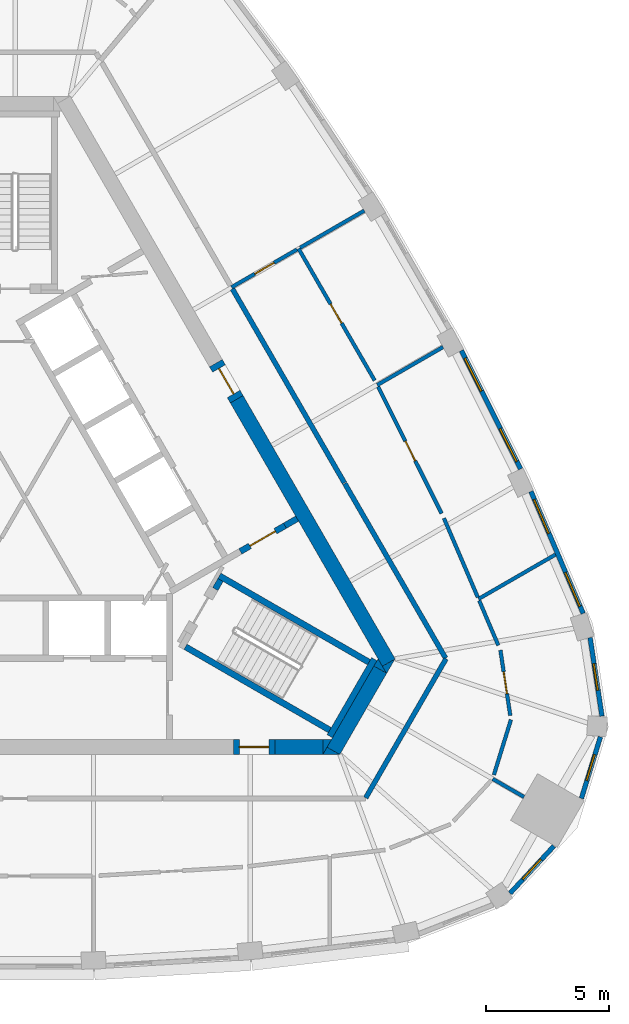
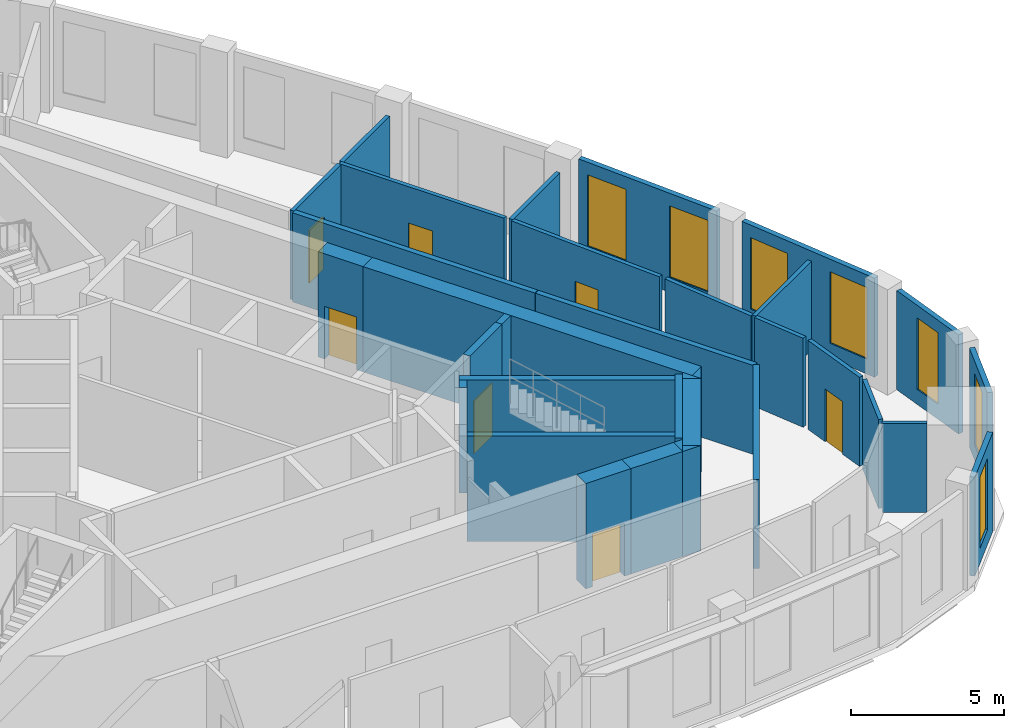
# One storey, part 7 of 10: 34 walls, 7 doors, 7 windows, 14 openings.
"""IFC4 building model written with IfcOpenShell, lengths in metres."""

from ifc_helpers import new_model, si_unit, direction, frame, frame_2d, origin, place, context, subcontext, project, spatial, polyline, rectangle, outline, extrude, material, layer, layer_set, type_object, element, fill, save


model = new_model("IFC4")

# Units and contexts
model_context = context("Model", 3, precision=1e-05, world=origin(), true_north=direction((0.0, 1.0)))
body_context = subcontext(model_context, "Body", "Model", "MODEL_VIEW")
ifc_project = project(units=[si_unit("LENGTHUNIT", "METRE"), si_unit("AREAUNIT", "SQUARE_METRE"), si_unit("VOLUMEUNIT", "CUBIC_METRE"), si_unit("PLANEANGLEUNIT", "RADIAN"), si_unit("MASSUNIT", "GRAM", prefix="KILO")], contexts=[model_context])

# Site, building, storey
site_placement = place(None, origin())
site = spatial("IfcSite", under=ifc_project, at=site_placement, CompositionType="ELEMENT")
building_placement = place(site_placement, origin())
building = spatial("IfcBuilding", under=site, at=building_placement, Name="Mestral Congress Tower", CompositionType="ELEMENT")
storey_placement = place(building_placement, frame((0.0, 0.0, 279.60009765625)))
storey = spatial("IfcBuildingStorey", under=building, at=storey_placement, Name="L65", CompositionType="ELEMENT", Elevation=279.60009765625)

# Walls
ifc_material_1 = material(Name="Concrete C60/75", Category="concrete")
ifc_layer_1 = layer(ifc_material_1, 0.60009765625)
ifc_layer_set_1 = layer_set([ifc_layer_1], Name="Concrete C60/75")
wall_type_1 = type_object("IfcWallType", Name="Core wall RC 600", PredefinedType="SOLIDWALL", material=ifc_layer_set_1)
wall_1_placement = place(storey_placement, frame((9.0419921875, 4.23876953125, 0.0), z_axis=(0.0, 0.0, 1.0), x_axis=(0.500005785455, -0.866022063525, 0.0)))
element("IfcWall", 1, at=wall_1_placement, inside=storey, type_object=wall_type_1, Name="L65 core wall", PredefinedType="SOLIDWALL", context=body_context, shape_type="SweptSolid", body=[
    extrude(rectangle(XDim=12.406494140625, YDim=0.60009765625, at=frame_2d((6.203125, 0.0))), origin(), (0.0, 0.0, 1.0), 4.199951171875),
])
placement = place(storey_placement, origin())
element("IfcWall", 2, at=placement, inside=storey, type_object=wall_type_1, Name="L65 core wall", PredefinedType="SOLIDWALL", context=body_context, shape_type="SweptSolid", body=[
    extrude(outline(polyline([(15.155517578125, -6.949951171875), (14.986572265625, -6.6572265625), (15.493408203125, -6.364501953125), (15.155517578125, -6.949951171875)])), origin(), (0.0, 0.0, 1.0), 4.199951171875),
])
wall_3_placement = place(storey_placement, frame((12.9873046875, -10.105712890625, 0.0), z_axis=(0.0, 0.0, 1.0), x_axis=(0.499950938802, 0.866053727428, 0.0)))
element("IfcWall", 3, at=wall_3_placement, inside=storey, type_object=wall_type_1, Name="L65 core wall", PredefinedType="SOLIDWALL", context=body_context, shape_type="SweptSolid", body=[
    extrude(rectangle(XDim=3.8232421875, YDim=0.60009765625, at=frame_2d((1.91162109375, 0.0))), origin(), (0.0, 0.0, 1.0), 4.199951171875),
])
element("IfcWall", 4, at=placement, inside=storey, type_object=wall_type_1, Name="L65 core wall", PredefinedType="SOLIDWALL", context=body_context, shape_type="SweptSolid", body=[
    extrude(outline(polyline([(12.726318359375, -9.957275390625), (13.2333984375, -10.25), (12.557373046875, -10.25), (12.726318359375, -9.957275390625)])), origin(), (0.0, 0.0, 1.0), 4.199951171875),
])
element("IfcWall", 5, at=placement, inside=storey, type_object=wall_type_1, Name="L65 core wall", PredefinedType="SOLIDWALL", context=body_context, shape_type="SweptSolid", body=[
    extrude(outline(polyline([(14.80908203125, -6.35009765625), (15.147216796875, -6.935791015625), (14.639892578125, -6.642822265625), (14.80908203125, -6.35009765625)])), origin(), (0.0, 0.0, 1.0), 4.199951171875),
])
wall_6_placement = place(storey_placement, frame((10.6044921875, -9.949951171875, 0.0), z_axis=(0.0, 0.0, 1.0), x_axis=(1.0, 0.0, 0.0)))
element("IfcWall", 6, at=wall_6_placement, inside=storey, type_object=wall_type_1, Name="L65 core wall", PredefinedType="SOLIDWALL", context=body_context, shape_type="SweptSolid", body=[
    extrude(rectangle(XDim=1.959228515625, YDim=0.60009765625, at=frame_2d((0.9794921875, 0.0))), origin(), (0.0, 0.0, 1.0), 4.199951171875),
])
element("IfcWall", 7, at=placement, inside=storey, type_object=wall_type_1, Name="L65 core wall", PredefinedType="SOLIDWALL", context=body_context, shape_type="SweptSolid", body=[
    extrude(outline(polyline([(12.90380859375, -9.64990234375), (12.56591796875, -10.235595703125), (12.56591796875, -9.64990234375), (12.90380859375, -9.64990234375)])), origin(), (0.0, 0.0, 1.0), 4.199951171875),
])

# Wall, opening, door
wall_8_placement = place(storey_placement, frame((10.6044921875, -9.949951171875, 0.0), z_axis=(0.0, 0.0, 1.0), x_axis=(-1.0, 0.0, 0.0)))
wall_8 = element("IfcWall", 8, at=wall_8_placement, inside=storey, type_object=wall_type_1, Name="L65 door wall", PredefinedType="SOLIDWALL", context=body_context, shape_type="SweptSolid", body=[
    extrude(rectangle(XDim=1.699951171875, YDim=0.60009765625, at=frame_2d((0.85009765625, 0.0))), origin(), (0.0, 0.0, 1.0), 4.199951171875),
])
opening_1_placement = place(wall_8_placement, frame((0.25, 0.0, 0.0)))
opening_1 = element("IfcOpeningElement", 9, at=opening_1_placement, cuts=wall_8, Name="Opening XD1", PredefinedType="OPENING", context=body_context, shape_type="SweptSolid", body=[
    extrude(rectangle(XDim=1.199951171875, YDim=2.10009765625, at=frame_2d((0.60009765625, 1.050048828125))), frame((0.0, 0.31005859375, 0.0), z_axis=(0.0, -1.0, 0.0), x_axis=(1.0, 0.0, 0.0)), (0.0, 0.0, 1.0), 0.6201171875),
])
ifc_material_2 = material(Name="Fire-rated steel door set", Category="steel")
door_type_1 = type_object("IfcDoorType", Name="Core door XD 1200x2100", OperationType="SINGLE_SWING_LEFT", PredefinedType="DOOR", material=ifc_material_2)
door_1_placement = place(opening_1_placement, origin())
door_1 = element("IfcDoor", 10, at=door_1_placement, inside=storey, type_object=door_type_1, Name="Door XD1", OperationType="SINGLE_SWING_LEFT", OverallHeight=2.10009765625, OverallWidth=1.199951171875, PredefinedType="DOOR", context=body_context, shape_type="SweptSolid", body=[
    extrude(rectangle(XDim=1.199951171875, YDim=2.10009765625, at=frame_2d((0.60009765625, 1.050048828125))), frame((0.0, 0.02490234375, 0.0), z_axis=(0.0, -1.0, 0.0), x_axis=(1.0, 0.0, 0.0)), (0.0, 0.0, 1.0), 0.050048828125),
])
fill(opening_1, door_1)

wall_9_placement = place(storey_placement, frame((8.19189453125, 5.711181640625, 0.0), z_axis=(0.0, 0.0, 1.0), x_axis=(0.500062241894, -0.865989465428, 0.0)))
wall_9 = element("IfcWall", 11, at=wall_9_placement, inside=storey, type_object=wall_type_1, Name="L65 door wall", PredefinedType="SOLIDWALL", context=body_context, shape_type="SweptSolid", body=[
    extrude(rectangle(XDim=1.699951171875, YDim=0.60009765625, at=frame_2d((0.85009765625, 0.0))), origin(), (0.0, 0.0, 1.0), 4.199951171875),
])
opening_2_placement = place(wall_9_placement, frame((0.25, 0.0, 0.0)))
opening_2 = element("IfcOpeningElement", 12, at=opening_2_placement, cuts=wall_9, Name="Opening XDL", PredefinedType="OPENING", context=body_context, shape_type="SweptSolid", body=[
    extrude(rectangle(XDim=1.199951171875, YDim=2.10009765625, at=frame_2d((0.60009765625, 1.050048828125))), frame((0.0, 0.31005859375, 0.0), z_axis=(0.0, -1.0, 0.0), x_axis=(1.0, 0.0, 0.0)), (0.0, 0.0, 1.0), 0.6201171875),
])
door_2_placement = place(opening_2_placement, origin())
door_2 = element("IfcDoor", 13, at=door_2_placement, inside=storey, type_object=door_type_1, Name="Door XDL", OperationType="SINGLE_SWING_LEFT", OverallHeight=2.10009765625, OverallWidth=1.199951171875, PredefinedType="DOOR", context=body_context, shape_type="SweptSolid", body=[
    extrude(rectangle(XDim=1.199951171875, YDim=2.10009765625, at=frame_2d((0.60009765625, 1.050048828125))), frame((0.0, 0.02490234375, 0.0), z_axis=(0.0, -1.0, 0.0), x_axis=(1.0, 0.0, 0.0)), (0.0, 0.0, 1.0), 0.050048828125),
])
fill(opening_2, door_2)

# Wall, opening, window
ifc_material_3 = material(Name="Precast concrete C40/50 with limestone facing", Category="masonry")
ifc_layer_2 = layer(ifc_material_3, 0.18994140625)
ifc_layer_set_2 = layer_set([ifc_layer_2], Name="Precast concrete C40/50 with limestone facing")
wall_type_2 = type_object("IfcWallType", Name="Facade stone wall 190", PredefinedType="SOLIDWALL", material=ifc_layer_set_2)
wall_10_placement = place(storey_placement, frame((20.197998046875, -15.91357421875, 0.0), z_axis=(0.0, 0.0, 1.0), x_axis=(0.680219354823, 0.733008614768, 0.0)))
wall_10 = element("IfcWall", 14, at=wall_10_placement, inside=storey, type_object=wall_type_2, Name="Facade wall K0-1", PredefinedType="SOLIDWALL", context=body_context, shape_type="SweptSolid", body=[
    extrude(rectangle(XDim=2.626953125, YDim=0.18994140625, at=frame_2d((1.3134765625, 0.0))), origin(), (0.0, 0.0, 1.0), 3.949951171875),
])
opening_3_placement = place(wall_10_placement, frame((0.763427734375, 0.0, 0.60009765625)))
opening_3 = element("IfcOpeningElement", 15, at=opening_3_placement, cuts=wall_10, Name="Opening W7", PredefinedType="OPENING", context=body_context, shape_type="SweptSolid", body=[
    extrude(rectangle(XDim=1.10009765625, YDim=2.85009765625, at=frame_2d((0.550048828125, 1.425048828125))), frame((0.0, 0.10498046875, 0.0), z_axis=(0.0, -1.0, 0.0), x_axis=(1.0, 0.0, 0.0)), (0.0, 0.0, 1.0), 0.2099609375),
])
ifc_material_4 = material(Name="Clear low-emissivity double glazing", Category="glass")
window_type_1 = type_object("IfcWindowType", Name="Facade punched window 1100 x 2850 sill 600", PartitioningType="SINGLE_PANEL", PredefinedType="WINDOW", material=ifc_material_4)
window_1_placement = place(opening_3_placement, origin())
window_1 = element("IfcWindow", 16, at=window_1_placement, inside=storey, type_object=window_type_1, Name="Window K0-1", OverallHeight=2.85009765625, OverallWidth=1.10009765625, PartitioningType="SINGLE_PANEL", PredefinedType="WINDOW", context=body_context, shape_type="SweptSolid", body=[
    extrude(rectangle(XDim=1.10009765625, YDim=2.85009765625, at=frame_2d((0.550048828125, 1.425048828125))), frame((0.0, 0.044921875, 0.0), z_axis=(0.0, -1.0, 0.0), x_axis=(1.0, 0.0, 0.0)), (0.0, 0.0, 1.0), 0.06005859375),
])
fill(opening_3, window_1)

wall_11_placement = place(storey_placement, frame((23.1064453125, -12.04541015625, 0.0), z_axis=(0.0, 0.0, 1.0), x_axis=(0.294706210429, 0.9555879078, 0.0)))
wall_11 = element("IfcWall", 17, at=wall_11_placement, inside=storey, type_object=wall_type_2, Name="Facade wall K0-2", PredefinedType="SOLIDWALL", context=body_context, shape_type="SweptSolid", body=[
    extrude(rectangle(XDim=2.626953125, YDim=0.18994140625, at=frame_2d((1.3134765625, 0.0))), origin(), (0.0, 0.0, 1.0), 3.949951171875),
])
opening_4_placement = place(wall_11_placement, frame((0.763427734375, 0.0, 0.60009765625)))
opening_4 = element("IfcOpeningElement", 18, at=opening_4_placement, cuts=wall_11, Name="Opening W7", PredefinedType="OPENING", context=body_context, shape_type="SweptSolid", body=[
    extrude(rectangle(XDim=1.10009765625, YDim=2.85009765625, at=frame_2d((0.550048828125, 1.425048828125))), frame((0.0, 0.10498046875, 0.0), z_axis=(0.0, -1.0, 0.0), x_axis=(1.0, 0.0, 0.0)), (0.0, 0.0, 1.0), 0.2099609375),
])
window_2_placement = place(opening_4_placement, origin())
window_2 = element("IfcWindow", 19, at=window_2_placement, inside=storey, type_object=window_type_1, Name="Window K0-2", OverallHeight=2.85009765625, OverallWidth=1.10009765625, PartitioningType="SINGLE_PANEL", PredefinedType="WINDOW", context=body_context, shape_type="SweptSolid", body=[
    extrude(rectangle(XDim=1.10009765625, YDim=2.85009765625, at=frame_2d((0.550048828125, 1.425048828125))), frame((0.0, 0.044921875, 0.0), z_axis=(0.0, -1.0, 0.0), x_axis=(1.0, 0.0, 0.0)), (0.0, 0.0, 1.0), 0.06005859375),
])
fill(opening_4, window_2)

wall_12_placement = place(storey_placement, frame((23.94384765625, -8.6884765625, 0.0), z_axis=(0.0, 0.0, 1.0), x_axis=(-0.149421055602, 0.988773658702, 0.0)))
wall_12 = element("IfcWall", 20, at=wall_12_placement, inside=storey, type_object=wall_type_2, Name="Facade wall K0-3", PredefinedType="SOLIDWALL", context=body_context, shape_type="SweptSolid", body=[
    extrude(rectangle(XDim=3.23681640625, YDim=0.18994140625, at=frame_2d((1.618408203125, 0.0))), origin(), (0.0, 0.0, 1.0), 3.949951171875),
])
opening_5_placement = place(wall_12_placement, frame((1.068359375, 0.0, 0.60009765625)))
opening_5 = element("IfcOpeningElement", 21, at=opening_5_placement, cuts=wall_12, Name="Opening W7", PredefinedType="OPENING", context=body_context, shape_type="SweptSolid", body=[
    extrude(rectangle(XDim=1.10009765625, YDim=2.85009765625, at=frame_2d((0.550048828125, 1.425048828125))), frame((0.0, 0.10498046875, 0.0), z_axis=(0.0, -1.0, 0.0), x_axis=(1.0, 0.0, 0.0)), (0.0, 0.0, 1.0), 0.2099609375),
])
window_3_placement = place(opening_5_placement, origin())
window_3 = element("IfcWindow", 22, at=window_3_placement, inside=storey, type_object=window_type_1, Name="Window K0-3", OverallHeight=2.85009765625, OverallWidth=1.10009765625, PartitioningType="SINGLE_PANEL", PredefinedType="WINDOW", context=body_context, shape_type="SweptSolid", body=[
    extrude(rectangle(XDim=1.10009765625, YDim=2.85009765625, at=frame_2d((0.550048828125, 1.425048828125))), frame((0.0, 0.044921875, 0.0), z_axis=(0.0, -1.0, 0.0), x_axis=(1.0, 0.0, 0.0)), (0.0, 0.0, 1.0), 0.06005859375),
])
fill(opening_5, window_3)

# Wall, openings, windows
wall_13_placement = place(storey_placement, frame((23.1787109375, -4.50048828125, 0.0), z_axis=(0.0, 0.0, 1.0), x_axis=(-0.393347848476, 0.919389726992, 0.0)))
wall_13 = element("IfcWall", 23, at=wall_13_placement, inside=storey, type_object=wall_type_2, Name="Facade wall F1-00", PredefinedType="SOLIDWALL", context=body_context, shape_type="SweptSolid", body=[
    extrude(rectangle(XDim=5.414794921875, YDim=0.18994140625, at=frame_2d((2.70751953125, 0.0))), origin(), (0.0, 0.0, 1.0), 3.949951171875),
])
opening_6_placement = place(wall_13_placement, frame((0.322509765625, 0.0, 0.60009765625)))
opening_6 = element("IfcOpeningElement", 24, at=opening_6_placement, cuts=wall_13, Name="Opening W6", PredefinedType="OPENING", context=body_context, shape_type="SweptSolid", body=[
    extrude(rectangle(XDim=1.5, YDim=2.85009765625, at=frame_2d((0.75, 1.425048828125))), frame((0.0, 0.10498046875, 0.0), z_axis=(0.0, -1.0, 0.0), x_axis=(1.0, 0.0, 0.0)), (0.0, 0.0, 1.0), 0.2099609375),
])
opening_7_placement = place(wall_13_placement, frame((3.5576171875, 0.0, 0.60009765625)))
opening_7 = element("IfcOpeningElement", 25, at=opening_7_placement, cuts=wall_13, Name="Opening W6", PredefinedType="OPENING", context=body_context, shape_type="SweptSolid", body=[
    extrude(rectangle(XDim=1.5, YDim=2.85009765625, at=frame_2d((0.75, 1.425048828125))), frame((0.0, 0.10498046875, 0.0), z_axis=(0.0, -1.0, 0.0), x_axis=(1.0, 0.0, 0.0)), (0.0, 0.0, 1.0), 0.2099609375),
])
window_type_2 = type_object("IfcWindowType", Name="Facade punched window 1500 x 2850 sill 600", PartitioningType="SINGLE_PANEL", PredefinedType="WINDOW", material=ifc_material_4)
window_4_placement = place(opening_6_placement, origin())
window_4 = element("IfcWindow", 26, at=window_4_placement, inside=storey, type_object=window_type_2, Name="Window F1-00a", OverallHeight=2.85009765625, OverallWidth=1.5, PartitioningType="SINGLE_PANEL", PredefinedType="WINDOW", context=body_context, shape_type="SweptSolid", body=[
    extrude(rectangle(XDim=1.5, YDim=2.85009765625, at=frame_2d((0.75, 1.425048828125))), frame((0.0, 0.044921875, 0.0), z_axis=(0.0, -1.0, 0.0), x_axis=(1.0, 0.0, 0.0)), (0.0, 0.0, 1.0), 0.06005859375),
])
fill(opening_6, window_4)
window_5_placement = place(opening_7_placement, origin())
window_5 = element("IfcWindow", 27, at=window_5_placement, inside=storey, type_object=window_type_2, Name="Window F1-00b", OverallHeight=2.85009765625, OverallWidth=1.5, PartitioningType="SINGLE_PANEL", PredefinedType="WINDOW", context=body_context, shape_type="SweptSolid", body=[
    extrude(rectangle(XDim=1.5, YDim=2.85009765625, at=frame_2d((0.75, 1.425048828125))), frame((0.0, 0.044921875, 0.0), z_axis=(0.0, -1.0, 0.0), x_axis=(1.0, 0.0, 0.0)), (0.0, 0.0, 1.0), 0.06005859375),
])
fill(opening_7, window_5)

wall_14_placement = place(storey_placement, frame((20.625, 1.39208984375, 0.0), z_axis=(0.0, 0.0, 1.0), x_axis=(-0.447484531401, 0.894291671747, 0.0)))
wall_14 = element("IfcWall", 28, at=wall_14_placement, inside=storey, type_object=wall_type_2, Name="Facade wall F1-01", PredefinedType="SOLIDWALL", context=body_context, shape_type="SweptSolid", body=[
    extrude(rectangle(XDim=5.40625, YDim=0.18994140625, at=frame_2d((2.703125, 0.0))), origin(), (0.0, 0.0, 1.0), 3.949951171875),
])
opening_8_placement = place(wall_14_placement, frame((0.346435546875, 0.0, 0.60009765625)))
opening_8 = element("IfcOpeningElement", 29, at=opening_8_placement, cuts=wall_14, Name="Opening W6", PredefinedType="OPENING", context=body_context, shape_type="SweptSolid", body=[
    extrude(rectangle(XDim=1.5, YDim=2.85009765625, at=frame_2d((0.75, 1.425048828125))), frame((0.0, 0.10498046875, 0.0), z_axis=(0.0, -1.0, 0.0), x_axis=(1.0, 0.0, 0.0)), (0.0, 0.0, 1.0), 0.2099609375),
])
opening_9_placement = place(wall_14_placement, frame((3.559326171875, 0.0, 0.60009765625)))
opening_9 = element("IfcOpeningElement", 30, at=opening_9_placement, cuts=wall_14, Name="Opening W6", PredefinedType="OPENING", context=body_context, shape_type="SweptSolid", body=[
    extrude(rectangle(XDim=1.5, YDim=2.85009765625, at=frame_2d((0.75, 1.425048828125))), frame((0.0, 0.10498046875, 0.0), z_axis=(0.0, -1.0, 0.0), x_axis=(1.0, 0.0, 0.0)), (0.0, 0.0, 1.0), 0.2099609375),
])
window_6_placement = place(opening_8_placement, origin())
window_6 = element("IfcWindow", 31, at=window_6_placement, inside=storey, type_object=window_type_2, Name="Window F1-01a", OverallHeight=2.85009765625, OverallWidth=1.5, PartitioningType="SINGLE_PANEL", PredefinedType="WINDOW", context=body_context, shape_type="SweptSolid", body=[
    extrude(rectangle(XDim=1.5, YDim=2.85009765625, at=frame_2d((0.75, 1.425048828125))), frame((0.0, 0.044921875, 0.0), z_axis=(0.0, -1.0, 0.0), x_axis=(1.0, 0.0, 0.0)), (0.0, 0.0, 1.0), 0.06005859375),
])
fill(opening_8, window_6)
window_7_placement = place(opening_9_placement, origin())
window_7 = element("IfcWindow", 32, at=window_7_placement, inside=storey, type_object=window_type_2, Name="Window F1-01b", OverallHeight=2.85009765625, OverallWidth=1.5, PartitioningType="SINGLE_PANEL", PredefinedType="WINDOW", context=body_context, shape_type="SweptSolid", body=[
    extrude(rectangle(XDim=1.5, YDim=2.85009765625, at=frame_2d((0.75, 1.425048828125))), frame((0.0, 0.044921875, 0.0), z_axis=(0.0, -1.0, 0.0), x_axis=(1.0, 0.0, 0.0)), (0.0, 0.0, 1.0), 0.06005859375),
])
fill(opening_9, window_7)

# Walls
ifc_material_5 = material(Name="Plasterboard partition on steel studs", Category="steel")
ifc_layer_3 = layer(ifc_material_5, 0.14990234375)
ifc_layer_set_3 = layer_set([ifc_layer_3], Name="Plasterboard partition on steel studs")
wall_type_3 = type_object("IfcWallType", Name="Office partition 150", PredefinedType="PARTITIONING", material=ifc_layer_set_3)
wall_15_placement = place(storey_placement, frame((19.485107421875, -11.249755859375, 0.0), z_axis=(0.0, 0.0, 1.0), x_axis=(0.866039857565, -0.499974964482, 0.0)))
element("IfcWall", 33, at=wall_15_placement, inside=storey, type_object=wall_type_3, Name="Partition", PredefinedType="PARTITIONING", context=body_context, shape_type="SweptSolid", body=[
    extrude(rectangle(XDim=1.478515625, YDim=0.14990234375, at=frame_2d((0.7392578125, 0.0))), origin(), (0.0, 0.0, 1.0), 3.5498046875),
])
wall_16_placement = place(storey_placement, frame((18.906982421875, -3.90966796875, 0.0), z_axis=(0.0, 0.0, 1.0), x_axis=(0.866051035956, 0.499955601149, 0.0)))
element("IfcWall", 34, at=wall_16_placement, inside=storey, type_object=wall_type_3, Name="Partition", PredefinedType="PARTITIONING", context=body_context, shape_type="SweptSolid", body=[
    extrude(rectangle(XDim=3.625732421875, YDim=0.14990234375, at=frame_2d((1.81298828125, 0.0))), origin(), (0.0, 0.0, 1.0), 3.5498046875),
])
wall_17_placement = place(storey_placement, frame((19.5361328125, -11.084716796875, 0.0), z_axis=(0.0, 0.0, 1.0), x_axis=(0.294632751805, 0.955610559571, 0.0)))
element("IfcWall", 35, at=wall_17_placement, inside=storey, type_object=wall_type_3, Name="Partition", PredefinedType="PARTITIONING", context=body_context, shape_type="SweptSolid", body=[
    extrude(rectangle(XDim=2.3525390625, YDim=0.14990234375, at=frame_2d((1.17626953125, 0.0))), origin(), (0.0, 0.0, 1.0), 3.5498046875),
])

# Wall, opening, door
wall_18_placement = place(storey_placement, frame((19.80029296875, -5.997802734375, 0.0), z_axis=(0.0, 0.0, 1.0), x_axis=(0.149384554916, -0.988779173907, 0.0)))
wall_18 = element("IfcWall", 36, at=wall_18_placement, inside=storey, type_object=wall_type_3, Name="Partition", PredefinedType="PARTITIONING", context=body_context, shape_type="SweptSolid", body=[
    extrude(rectangle(XDim=2.6982421875, YDim=0.14990234375, at=frame_2d((1.34912109375, 0.0))), origin(), (0.0, 0.0, 1.0), 3.5498046875),
])
opening_10_placement = place(wall_18_placement, frame((0.898193359375, 0.0, 0.0)))
opening_10 = element("IfcOpeningElement", 37, at=opening_10_placement, cuts=wall_18, Name="Opening O12-005", PredefinedType="OPENING", context=body_context, shape_type="SweptSolid", body=[
    extrude(rectangle(XDim=0.89990234375, YDim=2.10009765625, at=frame_2d((0.449951171875, 1.050048828125))), frame((0.0, 0.0849609375, 0.0), z_axis=(0.0, -1.0, 0.0), x_axis=(1.0, 0.0, 0.0)), (0.0, 0.0, 1.0), 0.169921875),
])
ifc_material_6 = material(Name="Timber door set", Category="wood")
door_type_2 = type_object("IfcDoorType", Name="Office door 900x2100", OperationType="SINGLE_SWING_LEFT", PredefinedType="DOOR", material=ifc_material_6)
door_3_placement = place(opening_10_placement, origin())
door_3 = element("IfcDoor", 38, at=door_3_placement, inside=storey, type_object=door_type_2, Name="Door O12-005", OperationType="SINGLE_SWING_LEFT", OverallHeight=2.10009765625, OverallWidth=0.89990234375, PredefinedType="DOOR", context=body_context, shape_type="SweptSolid", body=[
    extrude(rectangle(XDim=0.89990234375, YDim=2.10009765625, at=frame_2d((0.449951171875, 1.050048828125))), frame((0.0, 0.02490234375, 0.0), z_axis=(0.0, -1.0, 0.0), x_axis=(1.0, 0.0, 0.0)), (0.0, 0.0, 1.0), 0.050048828125),
])
fill(opening_10, door_3)

# Walls
wall_19_placement = place(storey_placement, frame((19.716064453125, -5.80078125, 0.0), z_axis=(0.0, 0.0, 1.0), x_axis=(-0.39333920544, 0.919393424745, 0.0)))
element("IfcWall", 39, at=wall_19_placement, inside=storey, type_object=wall_type_3, Name="Partition", PredefinedType="PARTITIONING", context=body_context, shape_type="SweptSolid", body=[
    extrude(rectangle(XDim=1.981201171875, YDim=0.14990234375, at=frame_2d((0.99072265625, 0.0))), origin(), (0.0, 0.0, 1.0), 3.5498046875),
])
wall_20_placement = place(storey_placement, frame((14.77734375, 4.821533203125, 0.0), z_axis=(0.0, 0.0, 1.0), x_axis=(0.865992557167, 0.500056887695, 0.0)))
element("IfcWall", 40, at=wall_20_placement, inside=storey, type_object=wall_type_3, Name="Partition", PredefinedType="PARTITIONING", context=body_context, shape_type="SweptSolid", body=[
    extrude(rectangle(XDim=3.096435546875, YDim=0.14990234375, at=frame_2d((1.54833984375, 0.0))), origin(), (0.0, 0.0, 1.0), 3.5498046875),
])
wall_21_placement = place(storey_placement, frame((18.877197265625, -3.84033203125, 0.0), z_axis=(0.0, 0.0, 1.0), x_axis=(-0.393339985587, 0.919393090978, 0.0)))
element("IfcWall", 41, at=wall_21_placement, inside=storey, type_object=wall_type_3, Name="Partition", PredefinedType="PARTITIONING", context=body_context, shape_type="SweptSolid", body=[
    extrude(rectangle(XDim=3.510009765625, YDim=0.14990234375, at=frame_2d((1.7548828125, 0.0))), origin(), (0.0, 0.0, 1.0), 3.5498046875),
])

# Wall, opening, door
wall_22_placement = place(storey_placement, frame((14.810791015625, 4.75439453125, 0.0), z_axis=(0.0, 0.0, 1.0), x_axis=(0.447483524661, -0.894292175498, 0.0)))
wall_22 = element("IfcWall", 42, at=wall_22_placement, inside=storey, type_object=wall_type_3, Name="Partition", PredefinedType="PARTITIONING", context=body_context, shape_type="SweptSolid", body=[
    extrude(rectangle(XDim=5.7880859375, YDim=0.14990234375, at=frame_2d((2.89404296875, 0.0))), origin(), (0.0, 0.0, 1.0), 3.5498046875),
])
opening_11_placement = place(wall_22_placement, frame((2.488037109375, 0.0, 0.0)))
opening_11 = element("IfcOpeningElement", 43, at=opening_11_placement, cuts=wall_22, Name="Opening O12-006", PredefinedType="OPENING", context=body_context, shape_type="SweptSolid", body=[
    extrude(rectangle(XDim=0.89990234375, YDim=2.10009765625, at=frame_2d((0.449951171875, 1.050048828125))), frame((0.0, 0.0849609375, 0.0), z_axis=(0.0, -1.0, 0.0), x_axis=(1.0, 0.0, 0.0)), (0.0, 0.0, 1.0), 0.169921875),
])
door_4_placement = place(opening_11_placement, origin())
door_4 = element("IfcDoor", 44, at=door_4_placement, inside=storey, type_object=door_type_2, Name="Door O12-006", OperationType="SINGLE_SWING_RIGHT", OverallHeight=2.10009765625, OverallWidth=0.89990234375, PredefinedType="DOOR", context=body_context, shape_type="SweptSolid", body=[
    extrude(rectangle(XDim=0.89990234375, YDim=2.10009765625, at=frame_2d((0.449951171875, 1.050048828125))), frame((0.0, 0.02490234375, 0.0), z_axis=(0.0, -1.0, 0.0), x_axis=(1.0, 0.0, 0.0)), (0.0, 0.0, 1.0), 0.050048828125),
])
fill(opening_11, door_4)

wall_23_placement = place(storey_placement, frame((11.564208984375, 10.38671875, 0.0), z_axis=(0.0, 0.0, 1.0), x_axis=(0.500002559113, -0.866023926275, 0.0)))
wall_23 = element("IfcWall", 45, at=wall_23_placement, inside=storey, type_object=wall_type_3, Name="Partition", PredefinedType="PARTITIONING", context=body_context, shape_type="SweptSolid", body=[
    extrude(rectangle(XDim=6.2119140625, YDim=0.14990234375, at=frame_2d((3.10595703125, 0.0))), origin(), (0.0, 0.0, 1.0), 3.5498046875),
])
opening_12_placement = place(wall_23_placement, frame((2.611572265625, 0.0, 0.0)))
opening_12 = element("IfcOpeningElement", 46, at=opening_12_placement, cuts=wall_23, Name="Opening O12-007", PredefinedType="OPENING", context=body_context, shape_type="SweptSolid", body=[
    extrude(rectangle(XDim=0.89990234375, YDim=2.10009765625, at=frame_2d((0.449951171875, 1.050048828125))), frame((0.0, 0.0849609375, 0.0), z_axis=(0.0, -1.0, 0.0), x_axis=(1.0, 0.0, 0.0)), (0.0, 0.0, 1.0), 0.169921875),
])
door_5_placement = place(opening_12_placement, origin())
door_5 = element("IfcDoor", 47, at=door_5_placement, inside=storey, type_object=door_type_2, Name="Door O12-007", OperationType="SINGLE_SWING_LEFT", OverallHeight=2.10009765625, OverallWidth=0.89990234375, PredefinedType="DOOR", context=body_context, shape_type="SweptSolid", body=[
    extrude(rectangle(XDim=0.89990234375, YDim=2.10009765625, at=frame_2d((0.449951171875, 1.050048828125))), frame((0.0, 0.02490234375, 0.0), z_axis=(0.0, -1.0, 0.0), x_axis=(1.0, 0.0, 0.0)), (0.0, 0.0, 1.0), 0.050048828125),
])
fill(opening_12, door_5)

# Wall
wall_24_placement = place(storey_placement, frame((11.629150390625, 10.42431640625, 0.0), z_axis=(0.0, 0.0, 1.0), x_axis=(0.866061796884, 0.499936960004, 0.0)))
element("IfcWall", 48, at=wall_24_placement, inside=storey, type_object=wall_type_3, Name="Partition", PredefinedType="PARTITIONING", context=body_context, shape_type="SweptSolid", body=[
    extrude(rectangle(XDim=3.021484375, YDim=0.14990234375, at=frame_2d((1.5107421875, 0.0))), origin(), (0.0, 0.0, 1.0), 3.5498046875),
])

# Wall, opening, door
wall_25_placement = place(storey_placement, frame((8.8291015625, 8.8076171875, 0.0), z_axis=(0.0, 0.0, 1.0), x_axis=(0.866041857893, 0.499971499565, 0.0)))
wall_25 = element("IfcWall", 49, at=wall_25_placement, inside=storey, type_object=wall_type_3, Name="Partition", PredefinedType="PARTITIONING", context=body_context, shape_type="SweptSolid", body=[
    extrude(rectangle(XDim=3.083251953125, YDim=0.14990234375, at=frame_2d((1.54150390625, 0.0))), origin(), (0.0, 0.0, 1.0), 3.5498046875),
])
opening_13_placement = place(wall_25_placement, frame((1.10009765625, 0.0, 0.0)))
opening_13 = element("IfcOpeningElement", 50, at=opening_13_placement, cuts=wall_25, Name="Opening O12-009", PredefinedType="OPENING", context=body_context, shape_type="SweptSolid", body=[
    extrude(rectangle(XDim=0.89990234375, YDim=2.10009765625, at=frame_2d((0.449951171875, 1.050048828125))), frame((0.0, 0.0849609375, 0.0), z_axis=(0.0, -1.0, 0.0), x_axis=(1.0, 0.0, 0.0)), (0.0, 0.0, 1.0), 0.169921875),
])
door_6_placement = place(opening_13_placement, origin())
door_6 = element("IfcDoor", 51, at=door_6_placement, inside=storey, type_object=door_type_2, Name="Door O12-009", OperationType="SINGLE_SWING_RIGHT", OverallHeight=2.10009765625, OverallWidth=0.89990234375, PredefinedType="DOOR", context=body_context, shape_type="SweptSolid", body=[
    extrude(rectangle(XDim=0.89990234375, YDim=2.10009765625, at=frame_2d((0.449951171875, 1.050048828125))), frame((0.0, 0.02490234375, 0.0), z_axis=(0.0, -1.0, 0.0), x_axis=(1.0, 0.0, 0.0)), (0.0, 0.0, 1.0), 0.050048828125),
])
fill(opening_13, door_6)

# Walls
ifc_material_7 = material(Name="Dense masonry wall, plastered", Category="masonry")
ifc_layer_4 = layer(ifc_material_7, 0.199951171875)
ifc_layer_set_4 = layer_set([ifc_layer_4], Name="Dense masonry wall, plastered")
wall_type_4 = type_object("IfcWallType", Name="Office tenancy wall 200", PredefinedType="PARTITIONING", material=ifc_layer_set_4)
wall_26_placement = place(storey_placement, frame((13.435546875, 0.828857421875, 0.0), z_axis=(0.0, 0.0, 1.0), x_axis=(-0.499983789798, 0.866034762547, 0.0)))
element("IfcWall", 52, at=wall_26_placement, inside=storey, type_object=wall_type_4, Name="Tenancy wall", PredefinedType="PARTITIONING", context=body_context, shape_type="SweptSolid", body=[
    extrude(rectangle(XDim=9.137939453125, YDim=0.199951171875, at=frame_2d((4.56884765625, 0.0))), origin(), (0.0, 0.0, 1.0), 3.5498046875),
])
wall_27_placement = place(storey_placement, frame((14.304443359375, -12.02392578125, 0.0), z_axis=(0.0, 0.0, 1.0), x_axis=(0.500010613097, 0.866019276224, 0.0)))
element("IfcWall", 53, at=wall_27_placement, inside=storey, type_object=wall_type_4, Name="Tenancy wall", PredefinedType="PARTITIONING", context=body_context, shape_type="SweptSolid", body=[
    extrude(rectangle(XDim=6.551513671875, YDim=0.199951171875, at=frame_2d((3.27587890625, 0.0))), origin(), (0.0, 0.0, 1.0), 3.5498046875),
])
wall_28_placement = place(storey_placement, frame((17.565185546875, -6.323974609375, 0.0), z_axis=(0.0, 0.0, 1.0), x_axis=(-0.499977548053, 0.866038366034, 0.0)))
element("IfcWall", 54, at=wall_28_placement, inside=storey, type_object=wall_type_4, Name="Tenancy wall", PredefinedType="PARTITIONING", context=body_context, shape_type="SweptSolid", body=[
    extrude(rectangle(XDim=8.2294921875, YDim=0.199951171875, at=frame_2d((4.11474609375, 0.0))), origin(), (0.0, 0.0, 1.0), 3.5498046875),
])
ifc_layer_5 = layer(ifc_material_1, 0.25)
ifc_layer_set_5 = layer_set([ifc_layer_5], Name="Concrete C60/75")
wall_type_5 = type_object("IfcWallType", Name="Shaft wall RC 250", PredefinedType="SOLIDWALL", material=ifc_layer_set_5)
wall_29_placement = place(storey_placement, frame((11.507080078125, -0.631103515625, 0.0), z_axis=(0.0, 0.0, 1.0), x_axis=(-0.866093731455, -0.499881634324, 0.0)))
element("IfcWall", 55, at=wall_29_placement, inside=storey, type_object=wall_type_5, Name="L65 core wall", PredefinedType="SOLIDWALL", context=body_context, shape_type="SweptSolid", body=[
    extrude(rectangle(XDim=0.575439453125, YDim=0.25, at=frame_2d((0.28759765625, 0.0))), origin(), (0.0, 0.0, 1.0), 4.199951171875),
])

# Wall, opening, door
wall_30_placement = place(storey_placement, frame((11.0087890625, -0.918701171875, 0.0), z_axis=(0.0, 0.0, 1.0), x_axis=(-0.866059744384, -0.49994051562, 0.0)))
wall_30 = element("IfcWall", 56, at=wall_30_placement, inside=storey, type_object=wall_type_5, Name="L65 door wall", PredefinedType="SOLIDWALL", context=body_context, shape_type="SweptSolid", body=[
    extrude(rectangle(XDim=2.099853515625, YDim=0.25, at=frame_2d((1.0498046875, 0.0))), origin(), (0.0, 0.0, 1.0), 4.199951171875),
])
opening_14_placement = place(wall_30_placement, frame((0.449951171875, 0.0, 0.0)))
opening_14 = element("IfcOpeningElement", 57, at=opening_14_placement, cuts=wall_30, Name="Opening LB1-PX10", PredefinedType="OPENING", context=body_context, shape_type="SweptSolid", body=[
    extrude(rectangle(XDim=1.199951171875, YDim=2.10009765625, at=frame_2d((0.60009765625, 1.050048828125))), frame((0.0, 0.135009765625, 0.0), z_axis=(0.0, -1.0, 0.0), x_axis=(1.0, 0.0, 0.0)), (0.0, 0.0, 1.0), 0.27001953125),
])
door_type_3 = type_object("IfcDoorType", Name="Core door LB 1200x2100", OperationType="SINGLE_SWING_LEFT", PredefinedType="DOOR", material=ifc_material_2)
door_7_placement = place(opening_14_placement, origin())
door_7 = element("IfcDoor", 58, at=door_7_placement, inside=storey, type_object=door_type_3, Name="Door LB1-PX10", OperationType="SINGLE_SWING_LEFT", OverallHeight=2.10009765625, OverallWidth=1.199951171875, PredefinedType="DOOR", context=body_context, shape_type="SweptSolid", body=[
    extrude(rectangle(XDim=1.199951171875, YDim=2.10009765625, at=frame_2d((0.60009765625, 1.050048828125))), frame((0.0, 0.02490234375, 0.0), z_axis=(0.0, -1.0, 0.0), x_axis=(1.0, 0.0, 0.0)), (0.0, 0.0, 1.0), 0.050048828125),
])
fill(opening_14, door_7)

# Walls
ifc_layer_6 = layer(ifc_material_1, 0.25)
ifc_layer_set_6 = layer_set([ifc_layer_6], Name="Concrete C60/75")
wall_type_6 = type_object("IfcWallType", Name="Stair wall RC 250", PredefinedType="SOLIDWALL", material=ifc_layer_set_6)
wall_31_placement = place(storey_placement, frame((12.839599609375, -9.510986328125, 0.0), z_axis=(0.0, 0.0, 1.0), x_axis=(0.500048121057, 0.865997619297, 0.0)))
element("IfcWall", 59, at=wall_31_placement, inside=storey, type_object=wall_type_6, Name="L65 core wall", PredefinedType="SOLIDWALL", context=body_context, shape_type="SweptSolid", body=[
    extrude(rectangle(XDim=3.634033203125, YDim=0.25, at=frame_2d((1.81689453125, 0.0))), origin(), (0.0, 0.0, 1.0), 4.199951171875),
])
wall_32_placement = place(storey_placement, frame((12.83984375, -9.2607421875, 0.0), z_axis=(0.0, 0.0, 1.0), x_axis=(-0.866013990052, 0.500019768644, 0.0)))
element("IfcWall", 60, at=wall_32_placement, inside=storey, type_object=wall_type_6, Name="L65 core wall", PredefinedType="SOLIDWALL", context=body_context, shape_type="SweptSolid", body=[
    extrude(rectangle(XDim=6.800048828125, YDim=0.25, at=frame_2d((3.39990234375, 0.0))), origin(), (0.0, 0.0, 1.0), 4.199951171875),
])
wall_33_placement = place(storey_placement, frame((8.33447265625, -2.96435546875, 0.0), z_axis=(0.0, 0.0, 1.0), x_axis=(0.866016039709, -0.500016218704, 0.0)))
element("IfcWall", 61, at=wall_33_placement, inside=storey, type_object=wall_type_6, Name="L65 core wall", PredefinedType="SOLIDWALL", context=body_context, shape_type="SweptSolid", body=[
    extrude(rectangle(XDim=7.050048828125, YDim=0.25, at=frame_2d((3.52490234375, 0.0))), origin(), (0.0, 0.0, 1.0), 4.199951171875),
])
wall_34_placement = place(storey_placement, frame((8.167724609375, -3.503173828125, 0.0), z_axis=(0.0, 0.0, 1.0), x_axis=(0.49972245349, 0.866185586049, 0.0)))
element("IfcWall", 62, at=wall_34_placement, inside=storey, type_object=wall_type_6, Name="L65 core wall", PredefinedType="SOLIDWALL", context=body_context, shape_type="SweptSolid", body=[
    extrude(rectangle(XDim=0.425048828125, YDim=0.25, at=frame_2d((0.21240234375, 0.0))), origin(), (0.0, 0.0, 1.0), 4.199951171875),
])

save(model, "model.ifc")
